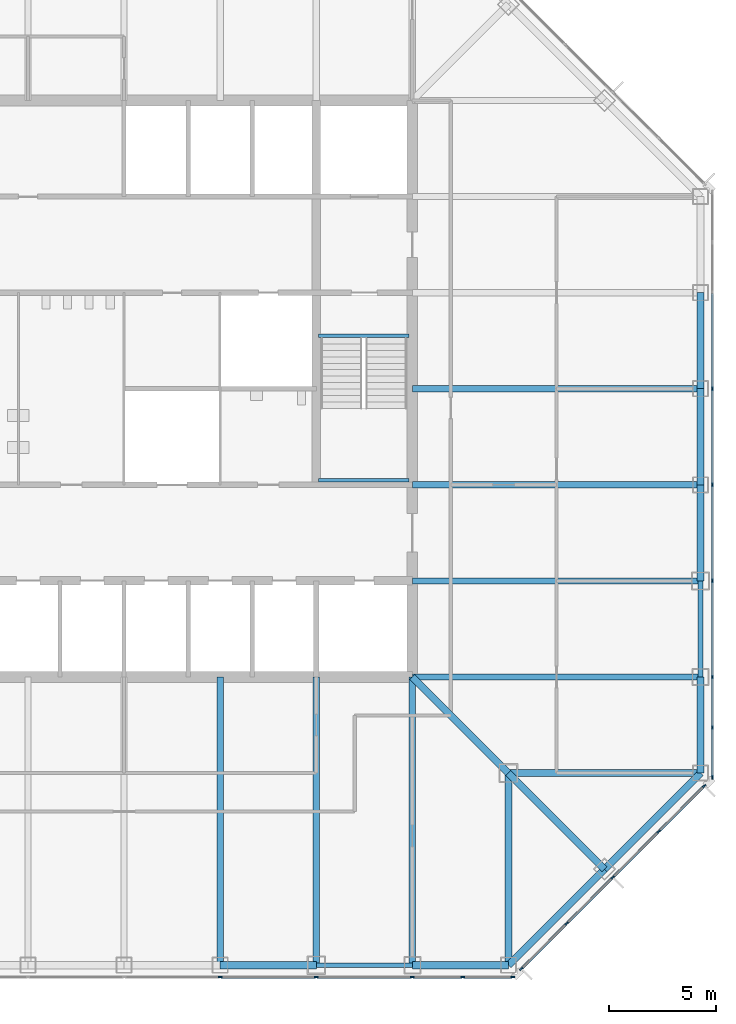
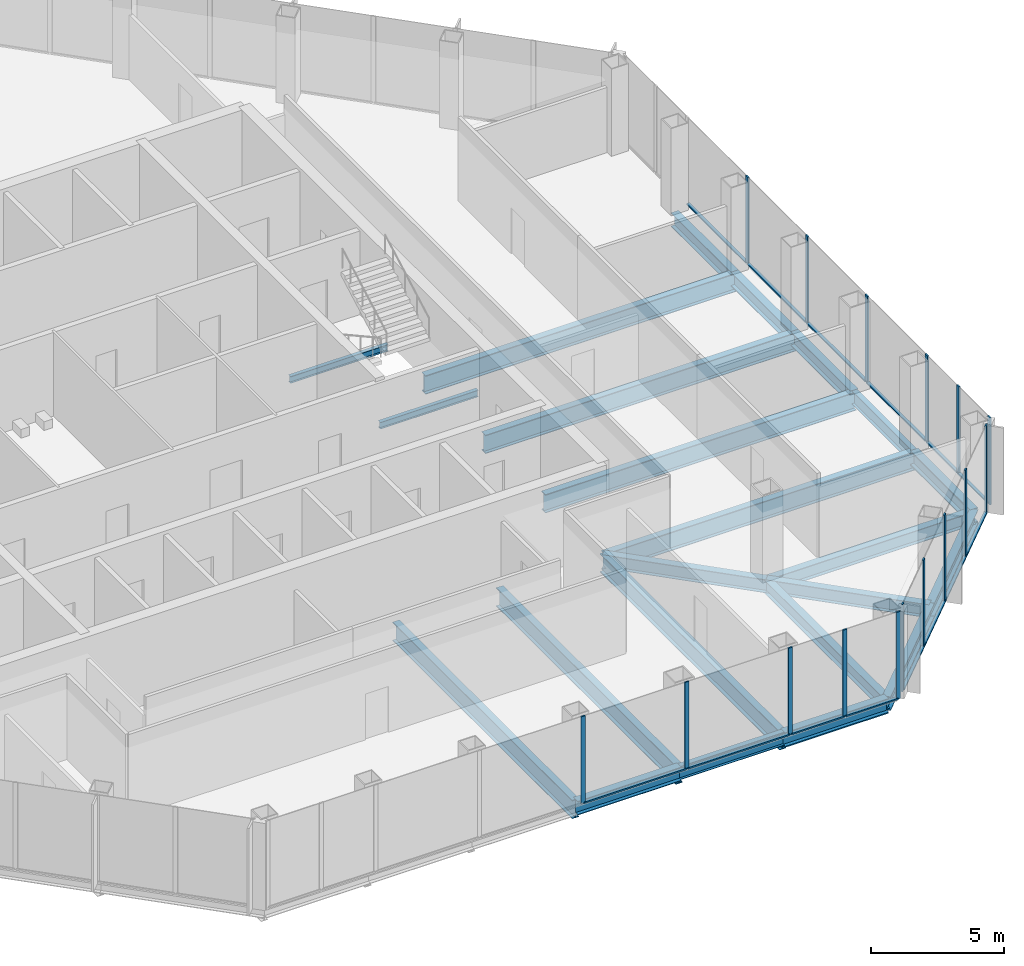
# One storey, part 4 of 13: 30 members, 23 beams, 3 elements without a shape of their own.
"""IFC4 building model written with IfcOpenShell, lengths in metres."""

from ifc_helpers import new_model, si_unit, direction, frame, origin, origin_2d, place, context, subcontext, project, spatial, rectangle, i_section, extrude, material, material_profile, profile_set, type_object, element, aggregate, save


model = new_model("IFC4")

# Units and contexts
model_context = context("Model", 3, precision=1e-05, world=origin(), true_north=direction((0.0, 1.0)))
body_context = subcontext(model_context, "Body", "Model", "MODEL_VIEW")
ifc_project = project(units=[si_unit("LENGTHUNIT", "METRE"), si_unit("AREAUNIT", "SQUARE_METRE"), si_unit("VOLUMEUNIT", "CUBIC_METRE"), si_unit("PLANEANGLEUNIT", "RADIAN"), si_unit("MASSUNIT", "GRAM", prefix="KILO")], contexts=[model_context])

# Site, building, storey
site_placement = place(None, origin())
site = spatial("IfcSite", under=ifc_project, at=site_placement, CompositionType="ELEMENT")
building_placement = place(site_placement, origin())
building = spatial("IfcBuilding", under=site, at=building_placement, Name="Corais Broadcast Tower", CompositionType="ELEMENT")
storey_placement = place(building_placement, frame((0.0, 0.0, 151.60009765625)))
storey = spatial("IfcBuildingStorey", under=building, at=storey_placement, Name="L34", CompositionType="ELEMENT", Elevation=151.60009765625)

# Beams
ifc_material_1 = material(Name="Steel ASTM A572 Grade 50", Category="steel")
ifc_material_profile_1 = material_profile(ifc_material_1, i_section(OverallWidth=0.323974609375, OverallDepth=0.611083984375, WebThickness=0.0126953125, FlangeThickness=0.01904296875, at=origin_2d()), Name="W610x155")
ifc_profile_set_1 = profile_set([ifc_material_profile_1], Name="Steel ASTM A572 Grade 50")
beam_type_1 = type_object("IfcBeamType", Name="Chamfer tie W610x155", PredefinedType="BEAM", material=ifc_profile_set_1)
beam_1_placement = place(storey_placement, frame((49.5, 4.5, -0.465576171875), z_axis=(-0.707106781187, 0.707106781187, 0.0), x_axis=(-0.707106781187, -0.707106781187, 0.0)))
element("IfcBeam", 1, at=beam_1_placement, inside=storey, type_object=beam_type_1, Name="B5 B/14 to C/13", PredefinedType="BEAM", context=body_context, shape_type="SweptSolid", body=[
    extrude(i_section(OverallWidth=0.323974609375, OverallDepth=0.611083984375, WebThickness=0.0126953125, FlangeThickness=0.01904296875, at=origin_2d()), origin(), (0.0, 0.0, 1.0), 6.364013671875),
])
ifc_material_2 = material(Name="Steel ASTM A572 Grade 50", Category="steel")
ifc_material_profile_2 = material_profile(ifc_material_2, i_section(OverallWidth=0.323974609375, OverallDepth=0.611083984375, WebThickness=0.0126953125, FlangeThickness=0.01904296875, at=origin_2d()), Name="W610x155")
ifc_profile_set_2 = profile_set([ifc_material_profile_2], Name="Steel ASTM A572 Grade 50")
beam_type_2 = type_object("IfcBeamType", Name="Corner diagonal W610x155", PredefinedType="BEAM", material=ifc_profile_set_2)
beam_2_placement = place(storey_placement, frame((45.0, 9.0, -0.465576171875), z_axis=(-0.707106781187, 0.707106781187, 0.0), x_axis=(-0.707106781187, -0.707106781187, 0.0)))
element("IfcBeam", 2, at=beam_2_placement, inside=storey, type_object=beam_type_2, Name="B6 C/13 to D/12", PredefinedType="BEAM", context=body_context, shape_type="SweptSolid", body=[
    extrude(i_section(OverallWidth=0.323974609375, OverallDepth=0.611083984375, WebThickness=0.0126953125, FlangeThickness=0.01904296875, at=origin_2d()), origin(), (0.0, 0.0, 1.0), 6.364013671875),
])
ifc_material_3 = material(Name="Steel ASTM A572 Grade 50", Category="steel")
ifc_material_profile_3 = material_profile(ifc_material_3, i_section(OverallWidth=0.323974609375, OverallDepth=0.611083984375, WebThickness=0.0126953125, FlangeThickness=0.01904296875, at=origin_2d()), Name="W610x155")
ifc_profile_set_3 = profile_set([ifc_material_profile_3], Name="Steel ASTM A572 Grade 50")
beam_type_3 = type_object("IfcBeamType", Name="Corner girder W610x155", PredefinedType="BEAM", material=ifc_profile_set_3)
for number, where, z_axis, x_axis, name in (
    (3, (45.0, 0.0, -0.465576171875), (0.0, 1.0, 0.0), (-1.0, 0.0, 0.0), "B4 A/13 to C/13"),
    (4, (54.0, 9.0, -0.465576171875), (-1.0, 0.0, 0.0), (0.0, -1.0, 0.0), "B4 C/15 to C/13"),
):
    element("IfcBeam", number, at=place(storey_placement, frame(where, z_axis=z_axis, x_axis=x_axis)), inside=storey, type_object=beam_type_3, Name=name, PredefinedType="BEAM", context=body_context, shape_type="SweptSolid", body=[
        extrude(i_section(OverallWidth=0.323974609375, OverallDepth=0.611083984375, WebThickness=0.0126953125, FlangeThickness=0.01904296875, at=origin_2d()), origin(), (0.0, 0.0, 1.0), 9.0),
    ])
ifc_material_4 = material(Name="Steel ASTM A572 Grade 50", Category="steel")
ifc_material_profile_4 = material_profile(ifc_material_4, i_section(OverallWidth=0.337890625, OverallDepth=0.677978515625, WebThickness=0.029541015625, FlangeThickness=0.052978515625, at=origin_2d()), Name="W610x415")
ifc_profile_set_4 = profile_set([ifc_material_profile_4], Name="Steel ASTM A572 Grade 50")
beam_type_4 = type_object("IfcBeamType", Name="Corner spandrel W610x415", PredefinedType="BEAM", material=ifc_profile_set_4)
for number, where, z_axis, x_axis, name in (
    (5, (40.5, 0.0, -0.4990234375), (1.0, 0.0, 0.0), (0.0, 1.0, 0.0), "SB10 A/12 to A/13"),
    (6, (54.0, 9.0, -0.4990234375), (0.0, 1.0, 0.0), (-1.0, 0.0, 0.0), "SB10 C/15 to D/15"),
):
    element("IfcBeam", number, at=place(storey_placement, frame(where, z_axis=z_axis, x_axis=x_axis)), inside=storey, type_object=beam_type_4, Name=name, PredefinedType="BEAM", context=body_context, shape_type="SweptSolid", body=[
        extrude(i_section(OverallWidth=0.337890625, OverallDepth=0.677978515625, WebThickness=0.029541015625, FlangeThickness=0.052978515625, at=origin_2d()), origin(), (0.0, 0.0, 1.0), 4.5),
    ])
ifc_material_5 = material(Name="Steel ASTM A572 Grade 50", Category="steel")
ifc_material_profile_5 = material_profile(ifc_material_5, i_section(OverallWidth=0.2939453125, OverallDepth=0.85107421875, WebThickness=0.01611328125, FlangeThickness=0.02685546875, at=origin_2d()), Name="W840x226")
ifc_profile_set_5 = profile_set([ifc_material_profile_5], Name="Steel ASTM A572 Grade 50")
beam_type_5 = type_object("IfcBeamType", Name="Floor beam W840x226", PredefinedType="BEAM", material=ifc_profile_set_5)
for number, where, z_axis, x_axis, name in (
    (7, (31.5, 0.0, -0.585693359375), (0.0, 1.0, 0.0), (-1.0, 0.0, 0.0), "B1 A/10 to D/10"),
    (8, (36.0, 0.0, -0.585693359375), (0.0, 1.0, 0.0), (-1.0, 0.0, 0.0), "B1 A/11 to D/11"),
    (9, (40.5, 0.0, -0.585693359375), (0.0, 1.0, 0.0), (-1.0, 0.0, 0.0), "B1 A/12 to D/12"),
    (10, (54.0, 13.5, -0.585693359375), (-1.0, 0.0, 0.0), (0.0, -1.0, 0.0), "B1 D/15 to D/12"),
    (11, (54.0, 18.0, -0.585693359375), (-1.0, 0.0, 0.0), (0.0, -1.0, 0.0), "B1 E/15 to E/12"),
    (12, (54.0, 22.5, -0.585693359375), (-1.0, 0.0, 0.0), (0.0, -1.0, 0.0), "B1 F/15 to F/12"),
    (13, (54.0, 27.0, -0.585693359375), (-1.0, 0.0, 0.0), (0.0, -1.0, 0.0), "B1 G/15 to G/12"),
):
    element("IfcBeam", number, at=place(storey_placement, frame(where, z_axis=z_axis, x_axis=x_axis)), inside=storey, type_object=beam_type_5, Name=name, PredefinedType="BEAM", context=body_context, shape_type="SweptSolid", body=[
        extrude(i_section(OverallWidth=0.2939453125, OverallDepth=0.85107421875, WebThickness=0.01611328125, FlangeThickness=0.02685546875, at=origin_2d()), origin(), (0.0, 0.0, 1.0), 13.5),
    ])
ifc_material_6 = material(Name="Steel ASTM A572 Grade 50", Category="steel")
ifc_material_profile_6 = material_profile(ifc_material_6, i_section(OverallWidth=0.1650390625, OverallDepth=0.31005859375, WebThickness=0.005859375, FlangeThickness=0.009765625, at=origin_2d()), Name="W310x38.7")
ifc_profile_set_6 = profile_set([ifc_material_profile_6], Name="Steel ASTM A572 Grade 50")
beam_type_6 = type_object("IfcBeamType", Name="Landing trimmer W310x38.7", PredefinedType="BEAM", material=ifc_profile_set_6)
for number, where, z_axis, x_axis, name in (
    (14, (36.10009765625, 29.47509765625, -0.35498046875), (1.0, 0.0, 0.0), (0.0, 1.0, 0.0), "LT1 stair B landing trimmer L34"),
    (15, (36.10009765625, 22.715087890625, 1.64501953125), (1.0, 0.0, 0.0), (0.0, 1.0, 0.0), "LT1 stair B half landing trimmer L34"),
):
    element("IfcBeam", number, at=place(storey_placement, frame(where, z_axis=z_axis, x_axis=x_axis)), inside=storey, type_object=beam_type_6, Name=name, PredefinedType="BEAM", context=body_context, shape_type="SweptSolid", body=[
        extrude(i_section(OverallWidth=0.1650390625, OverallDepth=0.31005859375, WebThickness=0.005859375, FlangeThickness=0.009765625, at=origin_2d()), origin(), (0.0, 0.0, 1.0), 4.25),
    ])

# Curtain wall, members
ifc_material_7 = material(Name="Aluminium and glass", Category="aluminium")
curtain_wall_type = type_object("IfcCurtainWallType", Name="Unitised fritted curtain wall CW2", PredefinedType="NOTDEFINED", material=ifc_material_7)
curtain_wall_1_placement = place(storey_placement, origin())
curtain_wall_1 = element("IfcCurtainWall", 16, at=curtain_wall_1_placement, inside=storey, type_object=curtain_wall_type, Name="CW2 curtain wall L34 6", PredefinedType="NOTDEFINED")
ifc_material_8 = material(Name="Aluminium 6063-T6", Category="aluminium")
ifc_material_profile_7 = material_profile(ifc_material_8, rectangle(XDim=0.06494140625, YDim=0.179931640625, at=origin_2d()), Name="Mullion CW2 65x180")
ifc_profile_set_7 = profile_set([ifc_material_profile_7], Name="Aluminium 6063-T6")
member_type_1 = type_object("IfcMemberType", Name="Mullion CW2 65x180", PredefinedType="MULLION", material=ifc_profile_set_7)
member_1_placement = place(storey_placement, frame((54.550048828125, 27.0, 0.0), z_axis=(0.0, 0.0, 1.0), x_axis=(1.0, 0.0, 0.0)))
member_1 = element("IfcMember", 17, at=member_1_placement, type_object=member_type_1, Name="CW2 mullion 4", PredefinedType="MULLION", context=body_context, shape_type="SweptSolid", body=[
    extrude(rectangle(XDim=0.06494140625, YDim=0.179931640625, at=origin_2d()), origin(), (0.0, 0.0, 1.0), 4.0),
])
member_2_placement = place(storey_placement, frame((54.550048828125, 22.5, 0.0), z_axis=(0.0, 0.0, 1.0), x_axis=(1.0, 0.0, 0.0)))
member_2 = element("IfcMember", 18, at=member_2_placement, type_object=member_type_1, Name="CW2 mullion 5", PredefinedType="MULLION", context=body_context, shape_type="SweptSolid", body=[
    extrude(rectangle(XDim=0.06494140625, YDim=0.179931640625, at=origin_2d()), origin(), (0.0, 0.0, 1.0), 4.0),
])
member_3_placement = place(storey_placement, frame((54.550048828125, 18.0, 0.0), z_axis=(0.0, 0.0, 1.0), x_axis=(1.0, 0.0, 0.0)))
member_3 = element("IfcMember", 19, at=member_3_placement, type_object=member_type_1, Name="CW2 mullion 6", PredefinedType="MULLION", context=body_context, shape_type="SweptSolid", body=[
    extrude(rectangle(XDim=0.06494140625, YDim=0.179931640625, at=origin_2d()), origin(), (0.0, 0.0, 1.0), 4.0),
])
member_4_placement = place(storey_placement, frame((54.550048828125, 13.5, 0.0), z_axis=(0.0, 0.0, 1.0), x_axis=(1.0, 0.0, 0.0)))
member_4 = element("IfcMember", 20, at=member_4_placement, type_object=member_type_1, Name="CW2 mullion 7", PredefinedType="MULLION", context=body_context, shape_type="SweptSolid", body=[
    extrude(rectangle(XDim=0.06494140625, YDim=0.179931640625, at=origin_2d()), origin(), (0.0, 0.0, 1.0), 4.0),
])
member_5_placement = place(storey_placement, frame((54.550048828125, 11.135986328125, 0.0), z_axis=(0.0, 0.0, 1.0), x_axis=(1.0, 0.0, 0.0)))
member_5 = element("IfcMember", 21, at=member_5_placement, type_object=member_type_1, Name="CW2 mullion 8", PredefinedType="MULLION", context=body_context, shape_type="SweptSolid", body=[
    extrude(rectangle(XDim=0.06494140625, YDim=0.179931640625, at=origin_2d()), origin(), (0.0, 0.0, 1.0), 4.0),
])
member_6_placement = place(storey_placement, frame((54.550048828125, 8.8046875, 0.0), z_axis=(0.0, 0.0, 1.0), x_axis=(1.0, 0.0, 0.0)))
member_6 = element("IfcMember", 22, at=member_6_placement, type_object=member_type_1, Name="CW2 mullion 9", PredefinedType="MULLION", context=body_context, shape_type="SweptSolid", body=[
    extrude(rectangle(XDim=0.06494140625, YDim=0.179931640625, at=origin_2d()), origin(), (0.0, 0.0, 1.0), 4.0),
])

curtain_wall_2_placement = place(storey_placement, origin())
curtain_wall_2 = element("IfcCurtainWall", 23, at=curtain_wall_2_placement, inside=storey, type_object=curtain_wall_type, Name="CW2 curtain wall L34 7", PredefinedType="NOTDEFINED")
member_7_placement = place(storey_placement, frame((54.17333984375, 8.3955078125, 0.0), z_axis=(0.0, 0.0, 1.0), x_axis=(0.707106781187, -0.707106781187, 0.0)))
member_7 = element("IfcMember", 24, at=member_7_placement, type_object=member_type_1, Name="CW2 mullion 1", PredefinedType="MULLION", context=body_context, shape_type="SweptSolid", body=[
    extrude(rectangle(XDim=0.06494140625, YDim=0.179931640625, at=origin_2d()), origin(), (0.0, 0.0, 1.0), 4.0),
])
member_8_placement = place(storey_placement, frame((52.042724609375, 6.264892578125, 0.0), z_axis=(0.0, 0.0, 1.0), x_axis=(0.707106781187, -0.707106781187, 0.0)))
member_8 = element("IfcMember", 25, at=member_8_placement, type_object=member_type_1, Name="CW2 mullion 2", PredefinedType="MULLION", context=body_context, shape_type="SweptSolid", body=[
    extrude(rectangle(XDim=0.06494140625, YDim=0.179931640625, at=origin_2d()), origin(), (0.0, 0.0, 1.0), 4.0),
])
member_9_placement = place(storey_placement, frame((49.888916015625, 4.111083984375, 0.0), z_axis=(0.0, 0.0, 1.0), x_axis=(0.707106781187, -0.707106781187, 0.0)))
member_9 = element("IfcMember", 26, at=member_9_placement, type_object=member_type_1, Name="CW2 mullion 3", PredefinedType="MULLION", context=body_context, shape_type="SweptSolid", body=[
    extrude(rectangle(XDim=0.06494140625, YDim=0.179931640625, at=origin_2d()), origin(), (0.0, 0.0, 1.0), 4.0),
])
member_10_placement = place(storey_placement, frame((47.735107421875, 1.957275390625, 0.0), z_axis=(0.0, 0.0, 1.0), x_axis=(0.707106781187, -0.707106781187, 0.0)))
member_10 = element("IfcMember", 27, at=member_10_placement, type_object=member_type_1, Name="CW2 mullion 4", PredefinedType="MULLION", context=body_context, shape_type="SweptSolid", body=[
    extrude(rectangle(XDim=0.06494140625, YDim=0.179931640625, at=origin_2d()), origin(), (0.0, 0.0, 1.0), 4.0),
])
member_11_placement = place(storey_placement, frame((45.6044921875, -0.17333984375, 0.0), z_axis=(0.0, 0.0, 1.0), x_axis=(0.707106781187, -0.707106781187, 0.0)))
member_11 = element("IfcMember", 28, at=member_11_placement, type_object=member_type_1, Name="CW2 mullion 5", PredefinedType="MULLION", context=body_context, shape_type="SweptSolid", body=[
    extrude(rectangle(XDim=0.06494140625, YDim=0.179931640625, at=origin_2d()), origin(), (0.0, 0.0, 1.0), 4.0),
])

curtain_wall_3_placement = place(storey_placement, origin())
curtain_wall_3 = element("IfcCurtainWall", 29, at=curtain_wall_3_placement, inside=storey, type_object=curtain_wall_type, Name="CW2 curtain wall L34 8", PredefinedType="NOTDEFINED")
member_12_placement = place(storey_placement, frame((45.1953125, -0.550048828125, 0.0), z_axis=(0.0, 0.0, 1.0), x_axis=(0.0, -1.0, 0.0)))
member_12 = element("IfcMember", 30, at=member_12_placement, type_object=member_type_1, Name="CW2 mullion 1", PredefinedType="MULLION", context=body_context, shape_type="SweptSolid", body=[
    extrude(rectangle(XDim=0.06494140625, YDim=0.179931640625, at=origin_2d()), origin(), (0.0, 0.0, 1.0), 4.0),
])
member_13_placement = place(storey_placement, frame((42.864013671875, -0.550048828125, 0.0), z_axis=(0.0, 0.0, 1.0), x_axis=(0.0, -1.0, 0.0)))
member_13 = element("IfcMember", 31, at=member_13_placement, type_object=member_type_1, Name="CW2 mullion 2", PredefinedType="MULLION", context=body_context, shape_type="SweptSolid", body=[
    extrude(rectangle(XDim=0.06494140625, YDim=0.179931640625, at=origin_2d()), origin(), (0.0, 0.0, 1.0), 4.0),
])
member_14_placement = place(storey_placement, frame((40.5, -0.550048828125, 0.0), z_axis=(0.0, 0.0, 1.0), x_axis=(0.0, -1.0, 0.0)))
member_14 = element("IfcMember", 32, at=member_14_placement, type_object=member_type_1, Name="CW2 mullion 3", PredefinedType="MULLION", context=body_context, shape_type="SweptSolid", body=[
    extrude(rectangle(XDim=0.06494140625, YDim=0.179931640625, at=origin_2d()), origin(), (0.0, 0.0, 1.0), 4.0),
])
member_15_placement = place(storey_placement, frame((36.0, -0.550048828125, 0.0), z_axis=(0.0, 0.0, 1.0), x_axis=(0.0, -1.0, 0.0)))
member_15 = element("IfcMember", 33, at=member_15_placement, type_object=member_type_1, Name="CW2 mullion 4", PredefinedType="MULLION", context=body_context, shape_type="SweptSolid", body=[
    extrude(rectangle(XDim=0.06494140625, YDim=0.179931640625, at=origin_2d()), origin(), (0.0, 0.0, 1.0), 4.0),
])
member_16_placement = place(storey_placement, frame((31.5, -0.550048828125, 0.0), z_axis=(0.0, 0.0, 1.0), x_axis=(0.0, -1.0, 0.0)))
member_16 = element("IfcMember", 34, at=member_16_placement, type_object=member_type_1, Name="CW2 mullion 5", PredefinedType="MULLION", context=body_context, shape_type="SweptSolid", body=[
    extrude(rectangle(XDim=0.06494140625, YDim=0.179931640625, at=origin_2d()), origin(), (0.0, 0.0, 1.0), 4.0),
])

# Beams
ifc_material_9 = material(Name="Steel ASTM A572 Grade 50", Category="steel")
ifc_material_profile_8 = material_profile(ifc_material_9, i_section(OverallWidth=0.22900390625, OverallDepth=0.612060546875, WebThickness=0.011962890625, FlangeThickness=0.01953125, at=origin_2d()), Name="W610x125")
ifc_profile_set_8 = profile_set([ifc_material_profile_8], Name="Steel ASTM A572 Grade 50")
beam_type_7 = type_object("IfcBeamType", Name="Pinned spandrel W610x125", PredefinedType="BEAM", material=ifc_profile_set_8)
for number, where, z_axis, x_axis, name in (
    (35, (36.0, 0.0, -0.466064453125), (1.0, 0.0, 0.0), (0.0, 1.0, 0.0), "SB7 A/11 to A/12"),
    (36, (54.0, 13.5, -0.466064453125), (0.0, 1.0, 0.0), (-1.0, 0.0, 0.0), "SB7 D/15 to E/15"),
):
    element("IfcBeam", number, at=place(storey_placement, frame(where, z_axis=z_axis, x_axis=x_axis)), inside=storey, type_object=beam_type_7, Name=name, PredefinedType="BEAM", context=body_context, shape_type="SweptSolid", body=[
        extrude(i_section(OverallWidth=0.22900390625, OverallDepth=0.612060546875, WebThickness=0.011962890625, FlangeThickness=0.01953125, at=origin_2d()), origin(), (0.0, 0.0, 1.0), 4.5),
    ])
ifc_material_10 = material(Name="Steel ASTM A572 Grade 50", Category="steel")
ifc_material_profile_9 = material_profile(ifc_material_10, i_section(OverallWidth=0.3291015625, OverallDepth=0.635009765625, WebThickness=0.017822265625, FlangeThickness=0.031005859375, at=origin_2d()), Name="W610x241")
ifc_profile_set_9 = profile_set([ifc_material_profile_9], Name="Steel ASTM A572 Grade 50")
beam_type_8 = type_object("IfcBeamType", Name="Spandrel W610x241", PredefinedType="BEAM", material=ifc_profile_set_9)
beam_3_placement = place(storey_placement, frame((31.5, 0.0, -0.4775390625), z_axis=(1.0, 0.0, 0.0), x_axis=(0.0, 1.0, 0.0)))
element("IfcBeam", 37, at=beam_3_placement, inside=storey, type_object=beam_type_8, Name="SB1 A/10 to A/11", PredefinedType="BEAM", context=body_context, shape_type="SweptSolid", body=[
    extrude(i_section(OverallWidth=0.3291015625, OverallDepth=0.635009765625, WebThickness=0.017822265625, FlangeThickness=0.031005859375, at=origin_2d()), origin(), (0.0, 0.0, 1.0), 4.5),
])
for number, where, z_axis, x_axis, name in (
    (38, (45.0, 0.0, -0.4775390625), (0.707106781187, 0.707106781187, 0.0), (-0.707106781187, 0.707106781187, 0.0), "SB1 A/13 to B/14"),
    (39, (49.5, 4.5, -0.4775390625), (0.707106781187, 0.707106781187, 0.0), (-0.707106781187, 0.707106781187, 0.0), "SB1 B/14 to C/15"),
):
    element("IfcBeam", number, at=place(storey_placement, frame(where, z_axis=z_axis, x_axis=x_axis)), inside=storey, type_object=beam_type_8, Name=name, PredefinedType="BEAM", context=body_context, shape_type="SweptSolid", body=[
        extrude(i_section(OverallWidth=0.3291015625, OverallDepth=0.635009765625, WebThickness=0.017822265625, FlangeThickness=0.031005859375, at=origin_2d()), origin(), (0.0, 0.0, 1.0), 6.364013671875),
    ])
for number, where, z_axis, x_axis, name in (
    (40, (54.0, 18.0, -0.4775390625), (0.0, 1.0, 0.0), (-1.0, 0.0, 0.0), "SB1 E/15 to F/15"),
    (41, (54.0, 22.5, -0.4775390625), (0.0, 1.0, 0.0), (-1.0, 0.0, 0.0), "SB1 F/15 to G/15"),
    (42, (54.0, 27.0, -0.4775390625), (0.0, 1.0, 0.0), (-1.0, 0.0, 0.0), "SB1 G/15 to H/15"),
):
    element("IfcBeam", number, at=place(storey_placement, frame(where, z_axis=z_axis, x_axis=x_axis)), inside=storey, type_object=beam_type_8, Name=name, PredefinedType="BEAM", context=body_context, shape_type="SweptSolid", body=[
        extrude(i_section(OverallWidth=0.3291015625, OverallDepth=0.635009765625, WebThickness=0.017822265625, FlangeThickness=0.031005859375, at=origin_2d()), origin(), (0.0, 0.0, 1.0), 4.5),
    ])

# Member
ifc_material_11 = material(Name="Aluminium 6063-T6", Category="aluminium")
ifc_material_profile_10 = material_profile(ifc_material_11, rectangle(XDim=0.1298828125, YDim=0.06494140625, at=origin_2d()), Name="Transom CW2 65x130")
ifc_profile_set_10 = profile_set([ifc_material_profile_10], Name="Aluminium 6063-T6")
member_type_2 = type_object("IfcMemberType", Name="Transom CW2 65x130", PredefinedType="USERDEFINED", material=ifc_profile_set_10)
member_17_placement = place(storey_placement, frame((54.550048828125, 31.467529296875, 0.032470703125), z_axis=(0.0, -1.0, 0.0), x_axis=(1.0, 0.0, 0.0)))
member_17 = element("IfcMember", 43, at=member_17_placement, type_object=member_type_2, Name="CW2 transom 3.1", ObjectType="TRANSOM", PredefinedType="USERDEFINED", context=body_context, shape_type="SweptSolid", body=[
    extrude(rectangle(XDim=0.1298828125, YDim=0.06494140625, at=origin_2d()), origin(), (0.0, 0.0, 1.0), 4.43505859375),
])

member_18_placement = place(storey_placement, frame((54.550048828125, 26.967529296875, 0.032470703125), z_axis=(0.0, -1.0, 0.0), x_axis=(1.0, 0.0, 0.0)))
member_18 = element("IfcMember", 44, at=member_18_placement, type_object=member_type_2, Name="CW2 transom 4.1", ObjectType="TRANSOM", PredefinedType="USERDEFINED", context=body_context, shape_type="SweptSolid", body=[
    extrude(rectangle(XDim=0.1298828125, YDim=0.06494140625, at=origin_2d()), origin(), (0.0, 0.0, 1.0), 4.43505859375),
])

member_19_placement = place(storey_placement, frame((54.550048828125, 22.467529296875, 0.032470703125), z_axis=(0.0, -1.0, 0.0), x_axis=(1.0, 0.0, 0.0)))
member_19 = element("IfcMember", 45, at=member_19_placement, type_object=member_type_2, Name="CW2 transom 5.1", ObjectType="TRANSOM", PredefinedType="USERDEFINED", context=body_context, shape_type="SweptSolid", body=[
    extrude(rectangle(XDim=0.1298828125, YDim=0.06494140625, at=origin_2d()), origin(), (0.0, 0.0, 1.0), 4.43505859375),
])

member_20_placement = place(storey_placement, frame((54.550048828125, 17.967529296875, 0.032470703125), z_axis=(0.0, -1.0, 0.0), x_axis=(1.0, 0.0, 0.0)))
member_20 = element("IfcMember", 46, at=member_20_placement, type_object=member_type_2, Name="CW2 transom 6.1", ObjectType="TRANSOM", PredefinedType="USERDEFINED", context=body_context, shape_type="SweptSolid", body=[
    extrude(rectangle(XDim=0.1298828125, YDim=0.06494140625, at=origin_2d()), origin(), (0.0, 0.0, 1.0), 4.43505859375),
])

member_21_placement = place(storey_placement, frame((54.550048828125, 13.467529296875, 0.032470703125), z_axis=(0.0, -1.0, 0.0), x_axis=(1.0, 0.0, 0.0)))
member_21 = element("IfcMember", 47, at=member_21_placement, type_object=member_type_2, Name="CW2 transom 7.1", ObjectType="TRANSOM", PredefinedType="USERDEFINED", context=body_context, shape_type="SweptSolid", body=[
    extrude(rectangle(XDim=0.1298828125, YDim=0.06494140625, at=origin_2d()), origin(), (0.0, 0.0, 1.0), 2.298828125),
])

member_22_placement = place(storey_placement, frame((54.550048828125, 11.103515625, 0.032470703125), z_axis=(0.0, -1.0, 0.0), x_axis=(1.0, 0.0, 0.0)))
member_22 = element("IfcMember", 48, at=member_22_placement, type_object=member_type_2, Name="CW2 transom 8.1", ObjectType="TRANSOM", PredefinedType="USERDEFINED", context=body_context, shape_type="SweptSolid", body=[
    extrude(rectangle(XDim=0.1298828125, YDim=0.06494140625, at=origin_2d()), origin(), (0.0, 0.0, 1.0), 2.266357421875),
])

aggregate(curtain_wall_1, [member_1, member_2, member_3, member_4, member_5, member_6, member_17, member_18, member_19, member_20, member_21, member_22])

member_23_placement = place(storey_placement, frame((54.150390625, 8.37255859375, 0.032470703125), z_axis=(-0.707106781187, -0.707106781187, 0.0), x_axis=(0.707106781187, -0.707106781187, 0.0)))
member_23 = element("IfcMember", 49, at=member_23_placement, type_object=member_type_2, Name="CW2 transom 1.1", ObjectType="TRANSOM", PredefinedType="USERDEFINED", context=body_context, shape_type="SweptSolid", body=[
    extrude(rectangle(XDim=0.1298828125, YDim=0.06494140625, at=origin_2d()), origin(), (0.0, 0.0, 1.0), 2.9482421875),
])

member_24_placement = place(storey_placement, frame((52.019775390625, 6.241943359375, 0.032470703125), z_axis=(-0.707106781187, -0.707106781187, 0.0), x_axis=(0.707106781187, -0.707106781187, 0.0)))
member_24 = element("IfcMember", 50, at=member_24_placement, type_object=member_type_2, Name="CW2 transom 2.1", ObjectType="TRANSOM", PredefinedType="USERDEFINED", context=body_context, shape_type="SweptSolid", body=[
    extrude(rectangle(XDim=0.1298828125, YDim=0.06494140625, at=origin_2d()), origin(), (0.0, 0.0, 1.0), 2.98095703125),
])

member_25_placement = place(storey_placement, frame((49.865966796875, 4.088134765625, 0.032470703125), z_axis=(-0.707106781187, -0.707106781187, 0.0), x_axis=(0.707106781187, -0.707106781187, 0.0)))
member_25 = element("IfcMember", 51, at=member_25_placement, type_object=member_type_2, Name="CW2 transom 3.1", ObjectType="TRANSOM", PredefinedType="USERDEFINED", context=body_context, shape_type="SweptSolid", body=[
    extrude(rectangle(XDim=0.1298828125, YDim=0.06494140625, at=origin_2d()), origin(), (0.0, 0.0, 1.0), 2.98095703125),
])

member_26_placement = place(storey_placement, frame((47.712158203125, 1.934326171875, 0.032470703125), z_axis=(-0.707106781187, -0.707106781187, 0.0), x_axis=(0.707106781187, -0.707106781187, 0.0)))
member_26 = element("IfcMember", 52, at=member_26_placement, type_object=member_type_2, Name="CW2 transom 4.1", ObjectType="TRANSOM", PredefinedType="USERDEFINED", context=body_context, shape_type="SweptSolid", body=[
    extrude(rectangle(XDim=0.1298828125, YDim=0.06494140625, at=origin_2d()), origin(), (0.0, 0.0, 1.0), 2.9482421875),
])

aggregate(curtain_wall_2, [member_7, member_8, member_9, member_10, member_11, member_23, member_24, member_25, member_26])

member_27_placement = place(storey_placement, frame((45.162841796875, -0.550048828125, 0.032470703125), z_axis=(-1.0, 0.0, 0.0), x_axis=(0.0, -1.0, 0.0)))
member_27 = element("IfcMember", 53, at=member_27_placement, type_object=member_type_2, Name="CW2 transom 1.1", ObjectType="TRANSOM", PredefinedType="USERDEFINED", context=body_context, shape_type="SweptSolid", body=[
    extrude(rectangle(XDim=0.1298828125, YDim=0.06494140625, at=origin_2d()), origin(), (0.0, 0.0, 1.0), 2.266357421875),
])

member_28_placement = place(storey_placement, frame((42.831298828125, -0.550048828125, 0.032470703125), z_axis=(-1.0, 0.0, 0.0), x_axis=(0.0, -1.0, 0.0)))
member_28 = element("IfcMember", 54, at=member_28_placement, type_object=member_type_2, Name="CW2 transom 2.1", ObjectType="TRANSOM", PredefinedType="USERDEFINED", context=body_context, shape_type="SweptSolid", body=[
    extrude(rectangle(XDim=0.1298828125, YDim=0.06494140625, at=origin_2d()), origin(), (0.0, 0.0, 1.0), 2.298828125),
])

member_29_placement = place(storey_placement, frame((40.467529296875, -0.550048828125, 0.032470703125), z_axis=(-1.0, 0.0, 0.0), x_axis=(0.0, -1.0, 0.0)))
member_29 = element("IfcMember", 55, at=member_29_placement, type_object=member_type_2, Name="CW2 transom 3.1", ObjectType="TRANSOM", PredefinedType="USERDEFINED", context=body_context, shape_type="SweptSolid", body=[
    extrude(rectangle(XDim=0.1298828125, YDim=0.06494140625, at=origin_2d()), origin(), (0.0, 0.0, 1.0), 4.43505859375),
])

member_30_placement = place(storey_placement, frame((35.967529296875, -0.550048828125, 0.032470703125), z_axis=(-1.0, 0.0, 0.0), x_axis=(0.0, -1.0, 0.0)))
member_30 = element("IfcMember", 56, at=member_30_placement, type_object=member_type_2, Name="CW2 transom 4.1", ObjectType="TRANSOM", PredefinedType="USERDEFINED", context=body_context, shape_type="SweptSolid", body=[
    extrude(rectangle(XDim=0.1298828125, YDim=0.06494140625, at=origin_2d()), origin(), (0.0, 0.0, 1.0), 4.43505859375),
])

aggregate(curtain_wall_3, [member_12, member_13, member_14, member_15, member_16, member_27, member_28, member_29, member_30])

save(model, "model.ifc")
